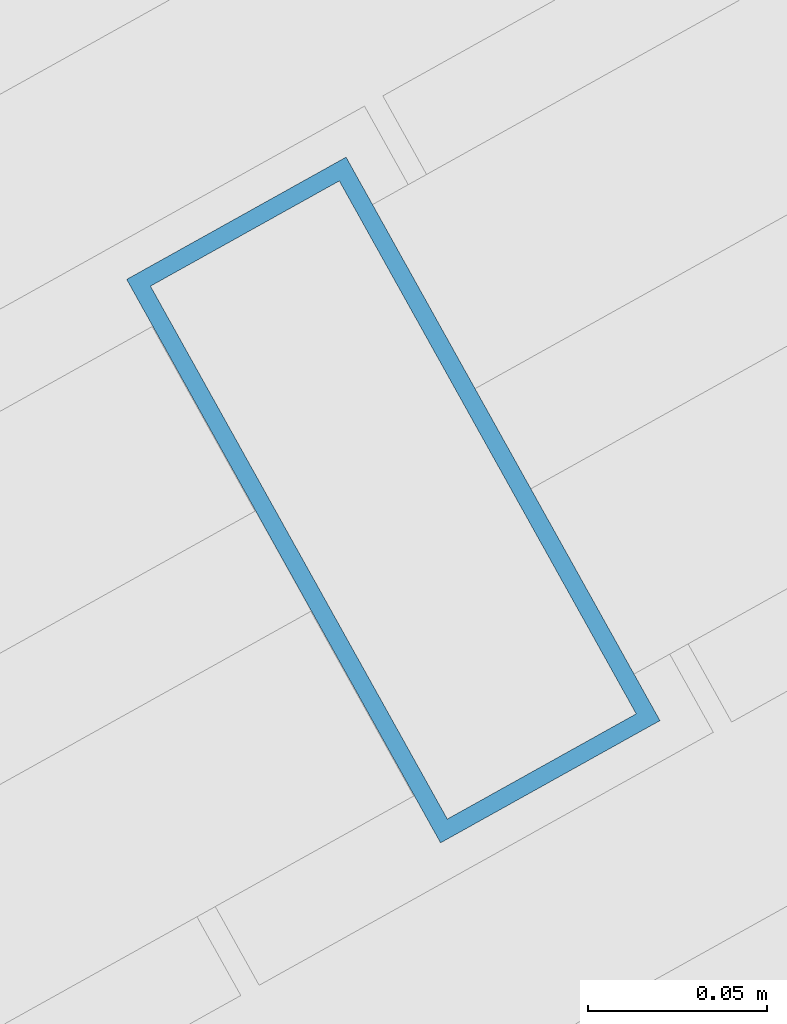
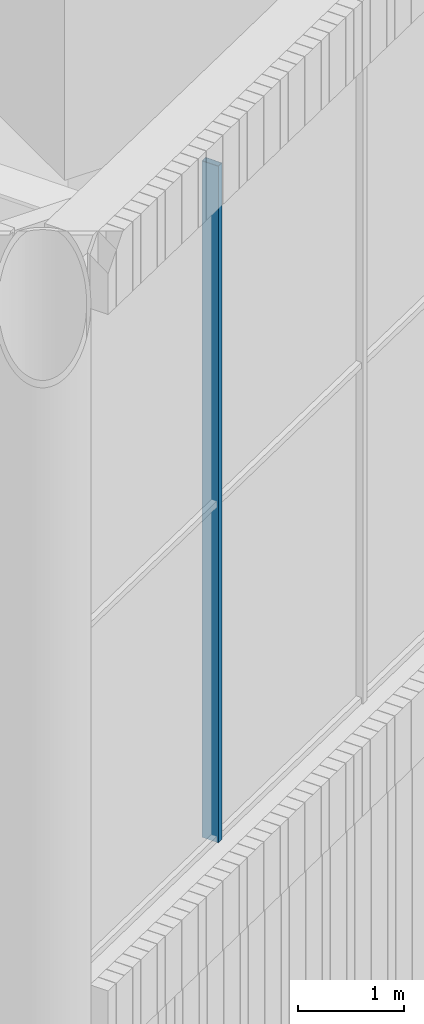
# One storey, part 7 of 117: 1 member, 1 element without a shape of its own.
"""IFC4 building model written with IfcOpenShell, lengths in metres."""

from ifc_helpers import new_model, si_unit, direction, frame, origin, origin_2d, place, context, subcontext, project, spatial, hollow_rectangle, extrude, material, layer, layer_set, material_profile, profile_set, type_object, element, aggregate, save


model = new_model("IFC4")

# Units and contexts
model_context = context("Model", 3, precision=1e-05, world=origin(), true_north=direction((0.0, 1.0)))
body_context = subcontext(model_context, "Body", "Model", "MODEL_VIEW")
ifc_project = project(units=[si_unit("LENGTHUNIT", "METRE"), si_unit("AREAUNIT", "SQUARE_METRE"), si_unit("VOLUMEUNIT", "CUBIC_METRE"), si_unit("PLANEANGLEUNIT", "RADIAN"), si_unit("MASSUNIT", "GRAM", prefix="KILO")], contexts=[model_context])

# Site, building, storey
site_placement = place(None, origin())
site = spatial("IfcSite", under=ifc_project, at=site_placement, CompositionType="ELEMENT")
building_placement = place(site_placement, origin())
building = spatial("IfcBuilding", under=site, at=building_placement, Name="Tarsis Ring Headquarters", CompositionType="ELEMENT")
storey_placement = place(building_placement, frame((0.0, 0.0, 403.60009765625)))
storey = spatial("IfcBuildingStorey", under=building, at=storey_placement, Name="L95", CompositionType="ELEMENT", Elevation=403.60009765625)

# Curtain wall, member
ifc_material_1 = material(Name="Aluminium curtain wall", Category="aluminium")
ifc_layer = layer(ifc_material_1, 0.179931640625)
ifc_layer_set = layer_set([ifc_layer], Name="Curtain wall crown glazing")
curtain_wall_type = type_object("IfcCurtainWallType", Name="Curtain wall crown glazing", PredefinedType="NOTDEFINED", material=ifc_layer_set)
curtain_wall_placement = place(storey_placement, origin())
curtain_wall = element("IfcCurtainWall", 1, at=curtain_wall_placement, inside=storey, type_object=curtain_wall_type, Name="Crown glazing U18", PredefinedType="NOTDEFINED")
ifc_material_2 = material(Name="Aluminium mullion", Category="aluminium")
ifc_material_profile = material_profile(ifc_material_2, hollow_rectangle(XDim=0.179931640625, YDim=0.070068359375, WallThickness=0.0048828125, at=origin_2d()), Name="RHS 180x70x5")
ifc_profile_set = profile_set([ifc_material_profile], Name="Aluminium mullion")
member_type = type_object("IfcMemberType", Name="Crown glazing mullion RHS 180x70x5", PredefinedType="MULLION", material=ifc_profile_set)
member_placement = place(storey_placement, frame((-27.46240234375, -32.2392578125, 14.39990234375), z_axis=(0.0, 0.0, 1.0), x_axis=(-0.486640354177, 0.873602407098, 0.0)))
member = element("IfcMember", 2, at=member_placement, type_object=member_type, Name="CW-C mullion 2", PredefinedType="MULLION", context=body_context, shape_type="SweptSolid", body=[
    extrude(hollow_rectangle(XDim=0.179931640625, YDim=0.070068359375, WallThickness=0.0048828125, at=origin_2d()), origin(), (0.0, 0.0, 1.0), 7.800048828125),
])
aggregate(curtain_wall, [member])

save(model, "model.ifc")
